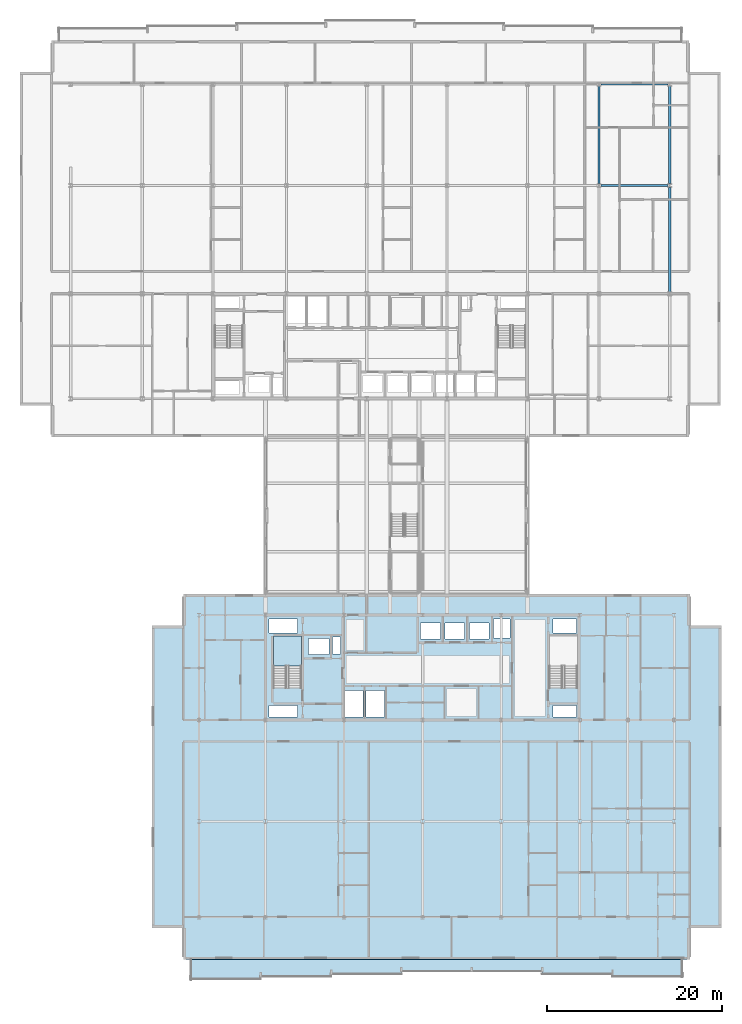
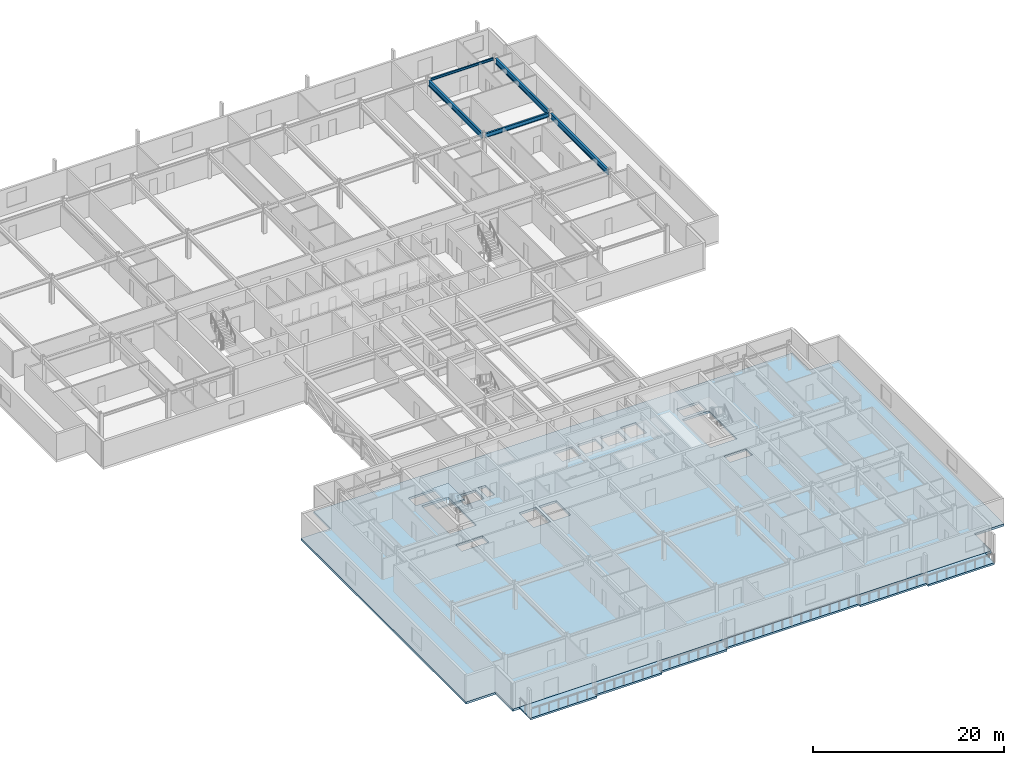
# One storey, part 14 of 35: 5 beams, 3 slabs, 1 element without a shape of its own.
"""IFC4 building model written with IfcOpenShell, lengths in metres."""

from ifc_helpers import new_model, si_unit, direction, frame, origin, origin_2d, place, context, subcontext, project, spatial, polyline, i_section, outline, extrude, material, layer, layer_set, material_profile, profile_set, type_object, element, aggregate, save


model = new_model("IFC4")

# Units and contexts
model_context = context("Model", 3, precision=1e-05, world=origin(), true_north=direction((0.0, 1.0)))
body_context = subcontext(model_context, "Body", "Model", "MODEL_VIEW")
ifc_project = project(units=[si_unit("LENGTHUNIT", "METRE"), si_unit("AREAUNIT", "SQUARE_METRE"), si_unit("VOLUMEUNIT", "CUBIC_METRE"), si_unit("PLANEANGLEUNIT", "RADIAN"), si_unit("MASSUNIT", "GRAM", prefix="KILO")], contexts=[model_context])

# Site, building, storey
site_placement = place(None, origin())
site = spatial("IfcSite", under=ifc_project, at=site_placement, CompositionType="ELEMENT")
building_placement = place(site_placement, origin())
building = spatial("IfcBuilding", under=site, at=building_placement, Name="Korimba Cascade Residences", CompositionType="ELEMENT")
storey_placement = place(building_placement, frame((0.0, 0.0, 150.10009765625)))
storey = spatial("IfcBuildingStorey", under=building, at=storey_placement, Name="L43", CompositionType="ELEMENT", Elevation=150.10009765625)

# Beams
ifc_material_1 = material(Name="Steel S355", Category="steel")
ifc_material_profile_1 = material_profile(ifc_material_1, i_section(OverallWidth=0.165771484375, OverallDepth=0.306640625, WebThickness=0.006591796875, FlangeThickness=0.01171875, FilletRadius=0.0087890625, at=origin_2d()), Name="Steel S355")
ifc_profile_set_1 = profile_set([ifc_material_profile_1], Name="Steel S355")
beam_type_1 = type_object("IfcBeamType", Name="BM-STL-UB305", PredefinedType="SPANDREL", material=ifc_profile_set_1)
beam_1_placement = place(storey_placement, frame((120.506103515625, 91.199951171875, 3.156494140625), z_axis=(1.0, 0.0, 0.0), x_axis=(0.0, 1.0, 0.0)))
element("IfcBeam", 1, at=beam_1_placement, inside=storey, type_object=beam_type_1, Name="L43 T1 E-W Girder Y4 Bay 8", PredefinedType="SPANDREL", context=body_context, shape_type="SweptSolid", body=[
    extrude(i_section(OverallWidth=0.165771484375, OverallDepth=0.306640625, WebThickness=0.006591796875, FlangeThickness=0.01171875, FilletRadius=0.0087890625, at=origin_2d()), origin(), (0.0, 0.0, 1.0), 7.687744140625),
])
ifc_material_profile_2 = material_profile(ifc_material_1, i_section(OverallWidth=0.2099609375, OverallDepth=0.53662109375, WebThickness=0.0107421875, FlangeThickness=0.017333984375, FilletRadius=0.0126953125, at=origin_2d()), Name="Steel S355")
ifc_profile_set_2 = profile_set([ifc_material_profile_2], Name="Steel S355")
beam_type_2 = type_object("IfcBeamType", Name="BM-STL-UB533", PredefinedType="BEAM", material=ifc_profile_set_2)
beam_2_placement = place(storey_placement, frame((120.506103515625, 79.60009765625, 3.04150390625), z_axis=(1.0, 0.0, 0.0), x_axis=(0.0, 1.0, 0.0)))
element("IfcBeam", 2, at=beam_2_placement, inside=storey, type_object=beam_type_2, Name="L43 T1 E-W Girder Y3 Bay 8", PredefinedType="BEAM", context=body_context, shape_type="SweptSolid", body=[
    extrude(i_section(OverallWidth=0.2099609375, OverallDepth=0.53662109375, WebThickness=0.0107421875, FlangeThickness=0.017333984375, FilletRadius=0.0126953125, at=origin_2d()), origin(), (0.0, 0.0, 1.0), 7.687744140625),
])
ifc_material_profile_3 = material_profile(ifc_material_1, i_section(OverallWidth=0.255859375, OverallDepth=0.69287109375, WebThickness=0.014404296875, FlangeThickness=0.023681640625, FilletRadius=0.01513671875, at=origin_2d()), Name="Steel S355")
ifc_profile_set_3 = profile_set([ifc_material_profile_3], Name="Steel S355")
beam_type_3 = type_object("IfcBeamType", Name="BM-STL-UB686", PredefinedType="BEAM", material=ifc_profile_set_3)
beam_3_placement = place(storey_placement, frame((120.300048828125, 79.818359375, 2.96337890625), z_axis=(0.0, 1.0, 0.0), x_axis=(-1.0, 0.0, 0.0)))
element("IfcBeam", 3, at=beam_3_placement, inside=storey, type_object=beam_type_3, Name="L43 T1 N-S Girder X8 Seg 3", PredefinedType="BEAM", context=body_context, shape_type="SweptSolid", body=[
    extrude(i_section(OverallWidth=0.255859375, OverallDepth=0.69287109375, WebThickness=0.014404296875, FlangeThickness=0.023681640625, FilletRadius=0.01513671875, at=origin_2d()), origin(), (0.0, 0.0, 1.0), 11.163330078125),
])
beam_4_placement = place(storey_placement, frame((128.39990234375, 67.418212890625, 2.96337890625), z_axis=(0.0, 1.0, 0.0), x_axis=(-1.0, 0.0, 0.0)))
element("IfcBeam", 4, at=beam_4_placement, inside=storey, type_object=beam_type_3, Name="L43 T1 N-S Girder X9 Seg 2", PredefinedType="BEAM", context=body_context, shape_type="SweptSolid", body=[
    extrude(i_section(OverallWidth=0.255859375, OverallDepth=0.69287109375, WebThickness=0.014404296875, FlangeThickness=0.023681640625, FilletRadius=0.01513671875, at=origin_2d()), origin(), (0.0, 0.0, 1.0), 11.96337890625),
])
beam_5_placement = place(storey_placement, frame((128.39990234375, 79.818359375, 2.96337890625), z_axis=(0.0, 1.0, 0.0), x_axis=(-1.0, 0.0, 0.0)))
element("IfcBeam", 5, at=beam_5_placement, inside=storey, type_object=beam_type_3, Name="L43 T1 N-S Girder X9 Seg 3", PredefinedType="BEAM", context=body_context, shape_type="SweptSolid", body=[
    extrude(i_section(OverallWidth=0.255859375, OverallDepth=0.69287109375, WebThickness=0.014404296875, FlangeThickness=0.023681640625, FilletRadius=0.01513671875, at=origin_2d()), origin(), (0.0, 0.0, 1.0), 11.163330078125),
])

# Stair, slab
ifc_material_2 = material(Name="Concrete C50/60", Category="concrete")
stair_type = type_object("IfcStairType", Name="STR-E1-20R-1800", PredefinedType="HALF_TURN_STAIR", material=ifc_material_2)
stair_placement = place(storey_placement, origin())
stair = element("IfcStair", 6, at=stair_placement, inside=storey, type_object=stair_type, Name="L43 Tower 2 West Fire Stair ST-E1", PredefinedType="HALF_TURN_STAIR")
ifc_layer_1 = layer(ifc_material_2, 0.199951171875)
ifc_layer_set_1 = layer_set([ifc_layer_1], Name="Concrete C50/60")
slab_type_1 = type_object("IfcSlabType", Name="SLB-LND-220", PredefinedType="LANDING", material=ifc_layer_set_1)
slab_1_placement = place(storey_placement, frame((0.0, 0.0, 1.599853515625)))
slab_1 = element("IfcSlab", 7, at=slab_1_placement, type_object=slab_type_1, Name="ST-E1 landing 1", PredefinedType="LANDING", context=body_context, shape_type="SweptSolid", body=[
    extrude(outline(polyline([(86.239990234375, 24.570068359375), (86.239990234375, 28.0), (83.0, 28.0), (83.0, 24.570068359375), (86.239990234375, 24.570068359375)])), origin(), (0.0, 0.0, 1.0), 0.199951171875),
])
aggregate(stair, [slab_1])

# Slabs
ifc_material_3 = material(Name="Precast concrete C40/50", Category="concrete")
ifc_layer_2 = layer(ifc_material_3, 0.239990234375)
ifc_layer_set_2 = layer_set([ifc_layer_2], Name="Precast concrete C40/50")
slab_type_2 = type_object("IfcSlabType", Name="SLB-LOG-240", PredefinedType="FLOOR", material=ifc_layer_set_2)
slab_2_placement = place(storey_placement, frame((0.0, 0.0, -0.239990234375)))
element("IfcSlab", 8, at=slab_2_placement, inside=storey, type_object=slab_type_2, Name="L43 Tower 2 South Loggia Slab", PredefinedType="FLOOR", context=body_context, shape_type="SweptSolid", body=[
    extrude(outline(polyline([(73.5, -11.35009765625), (81.55712890625, -11.35009765625), (81.55712890625, -11.050048828125), (89.6142578125, -11.050048828125), (89.6142578125, -10.75), (97.67138671875, -10.75), (97.67138671875, -10.449951171875), (113.78564453125, -10.449951171875), (113.78564453125, -10.75), (121.843017578125, -10.75), (121.843017578125, -11.050048828125), (129.89990234375, -11.050048828125), (129.89990234375, -9.0), (73.5, -9.0), (73.5, -11.35009765625)])), origin(), (0.0, 0.0, 1.0), 0.239990234375),
])
ifc_layer_3 = layer(ifc_material_2, 0.280029296875)
ifc_layer_set_3 = layer_set([ifc_layer_3], Name="Concrete C50/60")
slab_type_3 = type_object("IfcSlabType", Name="SLB-TYP-280", PredefinedType="FLOOR", material=ifc_layer_set_3)
slab_3_placement = place(storey_placement, frame((0.0, 0.0, -0.2900390625)))
element("IfcSlab", 9, at=slab_3_placement, inside=storey, type_object=slab_type_3, Name="L43 Tower 2 Floor Slab", PredefinedType="FLOOR", context=body_context, shape_type="SweptSolid", body=[
    extrude(outline(polyline([(72.699951171875, -9.0), (130.699951171875, -9.0), (130.699951171875, -5.39990234375), (134.300048828125, -5.39990234375), (134.300048828125, 29.199951171875), (130.699951171875, 29.199951171875), (130.699951171875, 32.800048828125), (72.699951171875, 32.800048828125), (72.699951171875, 29.199951171875), (69.10009765625, 29.199951171875), (69.10009765625, -5.39990234375), (72.699951171875, -5.39990234375), (72.699951171875, -9.0)]), holes=[polyline([(86.239990234375, 22.0849609375), (86.239990234375, 28.0), (83.0, 28.0), (83.0, 22.0849609375), (86.239990234375, 22.0849609375)]), polyline([(117.840087890625, 22.0849609375), (117.840087890625, 28.0), (114.60009765625, 28.0), (114.60009765625, 22.0849609375), (117.840087890625, 22.0849609375)]), polyline([(87.030029296875, 25.8798828125), (89.3701171875, 25.8798828125), (89.3701171875, 27.719970703125), (87.030029296875, 27.719970703125), (87.030029296875, 25.8798828125)]), polyline([(99.8798828125, 27.679931640625), (102.1201171875, 27.679931640625), (102.1201171875, 29.52001953125), (99.8798828125, 29.52001953125), (99.8798828125, 27.679931640625)]), polyline([(102.679931640625, 27.679931640625), (104.919921875, 27.679931640625), (104.919921875, 29.52001953125), (102.679931640625, 29.52001953125), (102.679931640625, 27.679931640625)]), polyline([(105.47998046875, 27.679931640625), (107.719970703125, 27.679931640625), (107.719970703125, 29.52001953125), (105.47998046875, 29.52001953125), (105.47998046875, 27.679931640625)]), polyline([(89.780029296875, 25.97998046875), (90.719970703125, 25.97998046875), (90.719970703125, 27.919921875), (89.780029296875, 27.919921875), (89.780029296875, 25.97998046875)]), polyline([(82.530029296875, 18.72998046875), (85.800048828125, 18.72998046875), (85.800048828125, 20.0400390625), (82.530029296875, 20.0400390625), (82.530029296875, 18.72998046875)]), polyline([(82.530029296875, 28.360107421875), (85.800048828125, 28.360107421875), (85.800048828125, 29.969970703125), (82.530029296875, 29.969970703125), (82.530029296875, 28.360107421875)]), polyline([(108.22998046875, 27.780029296875), (110.1201171875, 27.780029296875), (110.1201171875, 29.969970703125), (108.22998046875, 29.969970703125), (108.22998046875, 27.780029296875)]), polyline([(91.22998046875, 18.72998046875), (93.27001953125, 18.72998046875), (93.27001953125, 21.780029296875), (91.22998046875, 21.780029296875), (91.22998046875, 18.72998046875)]), polyline([(93.6298828125, 18.72998046875), (95.719970703125, 18.72998046875), (95.719970703125, 21.780029296875), (93.6298828125, 21.780029296875), (93.6298828125, 18.72998046875)]), polyline([(115.02001953125, 18.72998046875), (117.739990234375, 18.72998046875), (117.739990234375, 20.0400390625), (115.02001953125, 20.0400390625), (115.02001953125, 18.72998046875)]), polyline([(115.02001953125, 28.360107421875), (117.739990234375, 28.360107421875), (117.739990234375, 29.969970703125), (115.02001953125, 29.969970703125), (115.02001953125, 28.360107421875)])]), origin(), (0.0, 0.0, 1.0), 0.2900390625),
])

save(model, "model.ifc")
